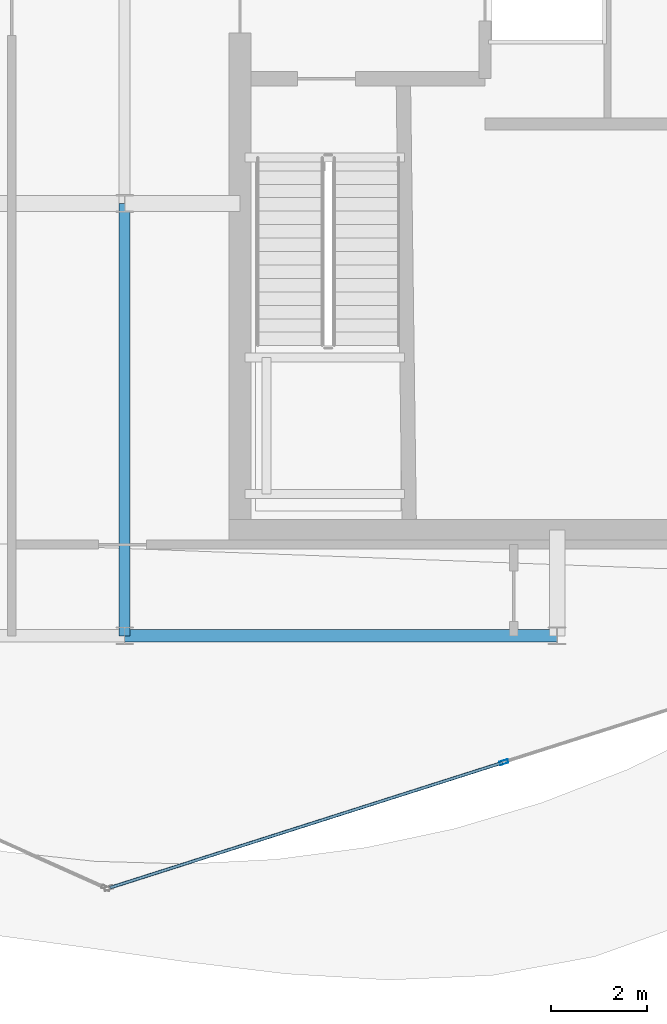
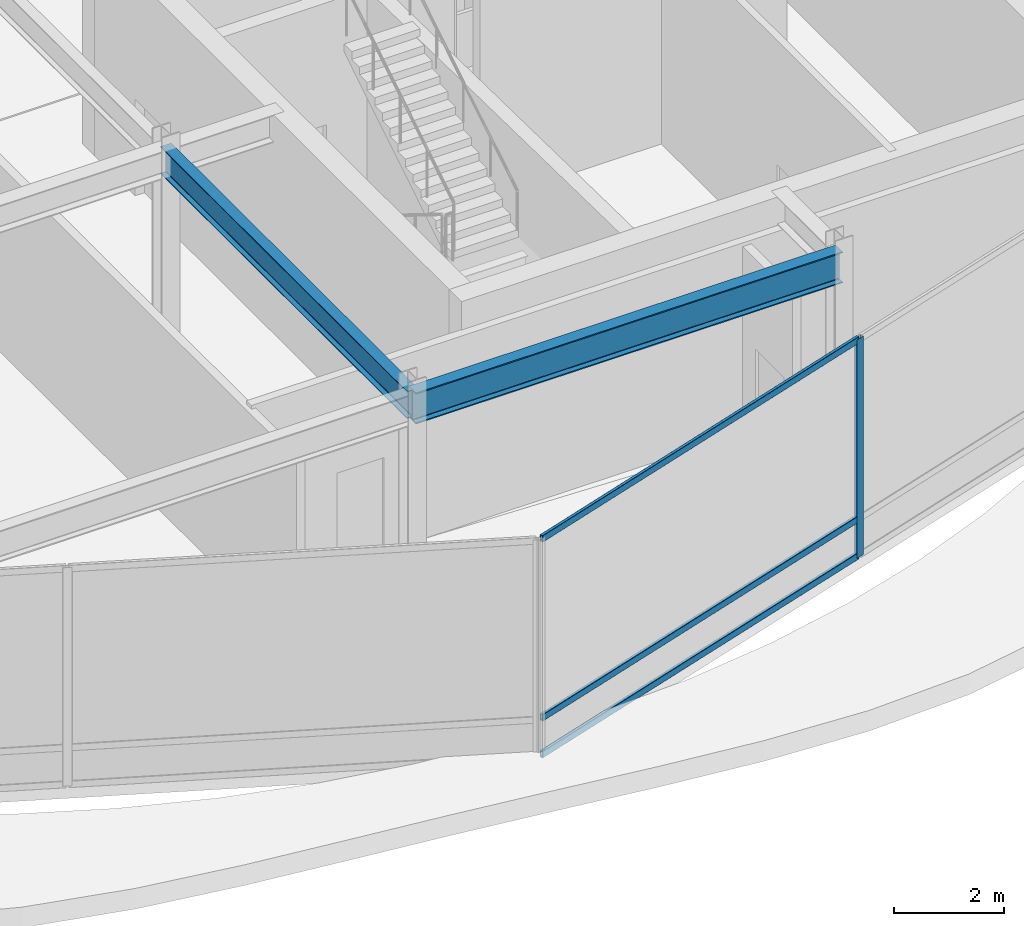
# One storey, part 4 of 21: 4 members, 2 beams, 1 element without a shape of its own.
"""IFC4 building model written with IfcOpenShell, lengths in metres."""

from ifc_helpers import new_model, si_unit, direction, frame, origin, origin_2d, place, context, subcontext, project, spatial, hollow_rectangle, i_section, extrude, material, layer, layer_set, material_profile, profile_set, type_object, element, aggregate, save


model = new_model("IFC4")

# Units and contexts
model_context = context("Model", 3, precision=1e-05, world=origin(), true_north=direction((0.0, 1.0)))
body_context = subcontext(model_context, "Body", "Model", "MODEL_VIEW")
ifc_project = project(units=[si_unit("LENGTHUNIT", "METRE"), si_unit("AREAUNIT", "SQUARE_METRE"), si_unit("VOLUMEUNIT", "CUBIC_METRE"), si_unit("PLANEANGLEUNIT", "RADIAN"), si_unit("MASSUNIT", "GRAM", prefix="KILO")], contexts=[model_context])

# Site, building, storey
site_placement = place(None, origin())
site = spatial("IfcSite", under=ifc_project, at=site_placement, CompositionType="ELEMENT")
building_placement = place(site_placement, origin())
building = spatial("IfcBuilding", under=site, at=building_placement, Name="Solvaryn Broadcast Tower", CompositionType="ELEMENT")
storey_placement = place(building_placement, frame((0.0, 0.0, 297.39990234375)))
storey = spatial("IfcBuildingStorey", under=building, at=storey_placement, Name="L75", CompositionType="ELEMENT", Elevation=297.39990234375)

# Beams
ifc_material_1 = material(Name="Steel ASTM A992 Grade 50", Category="steel")
ifc_material_profile_1 = material_profile(ifc_material_1, i_section(OverallWidth=0.22802734375, OverallDepth=0.60791015625, WebThickness=0.01123046875, FlangeThickness=0.017333984375, FilletRadius=0.014892578125, at=origin_2d()))
ifc_profile_set_1 = profile_set([ifc_material_profile_1], Name="Steel ASTM A992 Grade 50")
beam_type_1 = type_object("IfcBeamType", Name="BM-B2-W24X76", PredefinedType="BEAM", material=ifc_profile_set_1)
beam_1_placement = place(storey_placement, frame((27.0, 9.0, 4.566162109375), z_axis=(0.0, 1.0, 0.0), x_axis=(-1.0, 0.0, 0.0)))
element("IfcBeam", 1, at=beam_1_placement, inside=storey, type_object=beam_type_1, Name="L75 Primary Beam Y (9-18 @ X=27)", PredefinedType="BEAM", context=body_context, shape_type="SweptSolid", body=[
    extrude(i_section(OverallWidth=0.22802734375, OverallDepth=0.60791015625, WebThickness=0.01123046875, FlangeThickness=0.017333984375, FilletRadius=0.014892578125, at=origin_2d()), origin(), (0.0, 0.0, 1.0), 9.0),
])
ifc_material_2 = material(Name="Steel ASTM A992 Grade 50", Category="steel")
ifc_material_profile_2 = material_profile(ifc_material_2, i_section(OverallWidth=0.256103515625, OverallDepth=0.693115234375, WebThickness=0.014404296875, FlangeThickness=0.023681640625, FilletRadius=0.01611328125, at=origin_2d()))
ifc_profile_set_2 = profile_set([ifc_material_profile_2], Name="Steel ASTM A992 Grade 50")
beam_type_2 = type_object("IfcBeamType", Name="BM-SP3-W27X114", PredefinedType="USERDEFINED", material=ifc_profile_set_2)
beam_2_placement = place(storey_placement, frame((27.0, 9.0, 4.523681640625), z_axis=(1.0, 0.0, 0.0), x_axis=(0.0, 1.0, 0.0)))
element("IfcBeam", 2, at=beam_2_placement, inside=storey, type_object=beam_type_2, Name="L75 Spandrel Beam X (27-36 @ Y=9)", ObjectType="SPANDREL", PredefinedType="USERDEFINED", context=body_context, shape_type="SweptSolid", body=[
    extrude(i_section(OverallWidth=0.256103515625, OverallDepth=0.693115234375, WebThickness=0.014404296875, FlangeThickness=0.023681640625, FilletRadius=0.01611328125, at=origin_2d()), origin(), (0.0, 0.0, 1.0), 9.0),
])

# Curtain wall, members
ifc_material_3 = material(Name="Aluminium and Terracotta Unitised Curtain Wall", Category="masonry")
ifc_layer = layer(ifc_material_3, 0.260009765625)
ifc_layer_set = layer_set([ifc_layer], Name="CW-SYS5-DAMPER")
curtain_wall_type = type_object("IfcCurtainWallType", Name="CW-SYS5-DAMPER", PredefinedType="NOTDEFINED", material=ifc_layer_set)
curtain_wall_placement = place(storey_placement, origin())
curtain_wall = element("IfcCurtainWall", 3, at=curtain_wall_placement, inside=storey, type_object=curtain_wall_type, Name="L75 Curtain Wall DR4", PredefinedType="NOTDEFINED")
ifc_material_4 = material(Name="Anodised Aluminium 6063-T6", Category="aluminium")
ifc_material_profile_3 = material_profile(ifc_material_4, hollow_rectangle(XDim=0.074951171875, YDim=0.179931640625, WallThickness=0.00390625, InnerFilletRadius=0.00390625, OuterFilletRadius=0.008056640625, at=origin_2d()))
ifc_profile_set_3 = profile_set([ifc_material_profile_3], Name="Anodised Aluminium 6063-T6")
member_type_1 = type_object("IfcMemberType", Name="CW-MUL-180", PredefinedType="MULLION", material=ifc_profile_set_3)
member_1_placement = place(storey_placement, frame((34.892578125, 6.368896484375, 0.0), z_axis=(0.0, 0.0, 1.0), x_axis=(-0.30361564569, 0.952794594701, 0.0)))
member_1 = element("IfcMember", 4, at=member_1_placement, type_object=member_type_1, Name="CWS5 mullion 2", PredefinedType="MULLION", context=body_context, shape_type="SweptSolid", body=[
    extrude(hollow_rectangle(XDim=0.074951171875, YDim=0.179931640625, WallThickness=0.00390625, InnerFilletRadius=0.00390625, OuterFilletRadius=0.008056640625, at=origin_2d()), origin(), (0.0, 0.0, 1.0), 4.8701171875),
])
ifc_material_5 = material(Name="Anodised Aluminium 6063-T6", Category="aluminium")
ifc_material_profile_4 = material_profile(ifc_material_5, hollow_rectangle(XDim=0.06494140625, YDim=0.14990234375, WallThickness=0.00390625, InnerFilletRadius=0.00390625, OuterFilletRadius=0.008056640625, at=origin_2d()))
ifc_profile_set_4 = profile_set([ifc_material_profile_4], Name="Anodised Aluminium 6063-T6")
member_type_2 = type_object("IfcMemberType", Name="CW-TRN-150", PredefinedType="USERDEFINED", material=ifc_profile_set_4)
member_2_placement = place(storey_placement, frame((26.693115234375, 3.756103515625, 0.030029296875), z_axis=(0.952793333402, 0.303619603822, 0.0), x_axis=(-0.303619603822, 0.952793333402, 0.0)))
member_2 = element("IfcMember", 5, at=member_2_placement, type_object=member_type_2, Name="CWS5 transom 1.1", ObjectType="TRANSOM", PredefinedType="USERDEFINED", context=body_context, shape_type="SweptSolid", body=[
    extrude(hollow_rectangle(XDim=0.06494140625, YDim=0.14990234375, WallThickness=0.00390625, InnerFilletRadius=0.00390625, OuterFilletRadius=0.008056640625, at=origin_2d()), origin(), (0.0, 0.0, 1.0), 8.57568359375),
])
member_3_placement = place(storey_placement, frame((26.693115234375, 3.756103515625, 0.85009765625), z_axis=(0.952793333402, 0.303619603822, 0.0), x_axis=(-0.303619603822, 0.952793333402, 0.0)))
member_3 = element("IfcMember", 6, at=member_3_placement, type_object=member_type_2, Name="CWS5 transom 1.2", ObjectType="TRANSOM", PredefinedType="USERDEFINED", context=body_context, shape_type="SweptSolid", body=[
    extrude(hollow_rectangle(XDim=0.06494140625, YDim=0.14990234375, WallThickness=0.00390625, InnerFilletRadius=0.00390625, OuterFilletRadius=0.008056640625, at=origin_2d()), origin(), (0.0, 0.0, 1.0), 8.57568359375),
])
member_4_placement = place(storey_placement, frame((26.693115234375, 3.756103515625, 4.840087890625), z_axis=(0.952793333402, 0.303619603822, 0.0), x_axis=(-0.303619603822, 0.952793333402, 0.0)))
member_4 = element("IfcMember", 7, at=member_4_placement, type_object=member_type_2, Name="CWS5 transom 1.3", ObjectType="TRANSOM", PredefinedType="USERDEFINED", context=body_context, shape_type="SweptSolid", body=[
    extrude(hollow_rectangle(XDim=0.06494140625, YDim=0.14990234375, WallThickness=0.00390625, InnerFilletRadius=0.00390625, OuterFilletRadius=0.008056640625, at=origin_2d()), origin(), (0.0, 0.0, 1.0), 8.57568359375),
])
aggregate(curtain_wall, [member_1, member_2, member_3, member_4])

save(model, "model.ifc")
